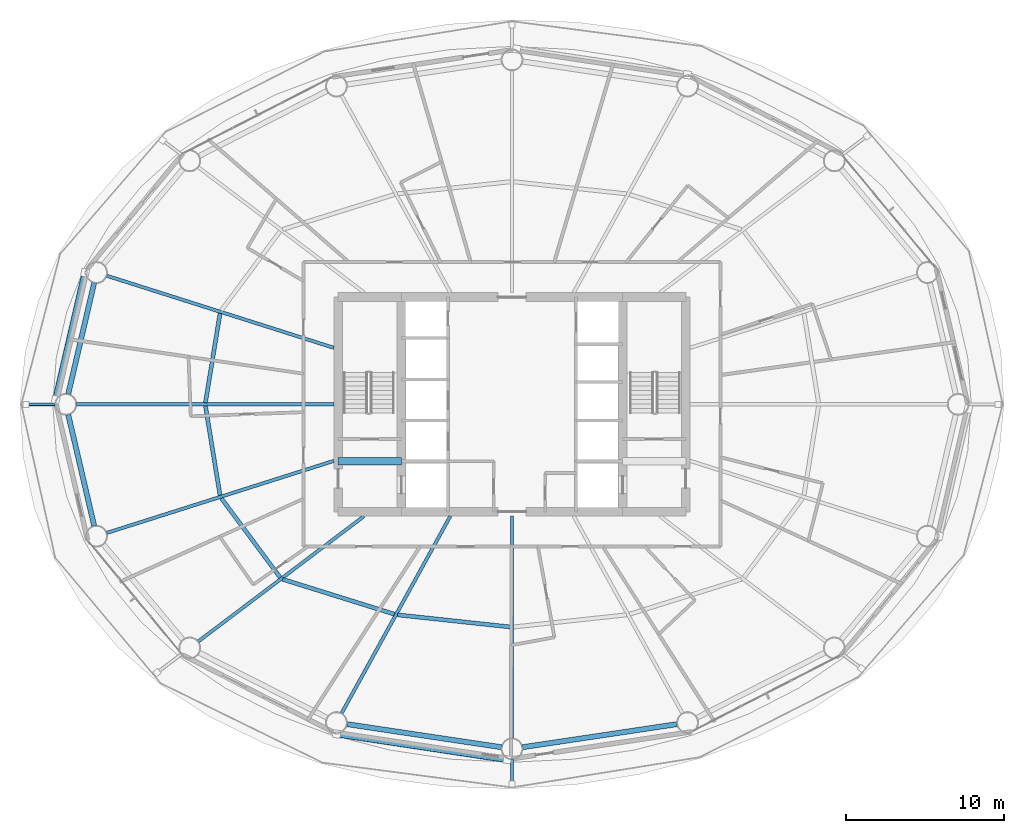
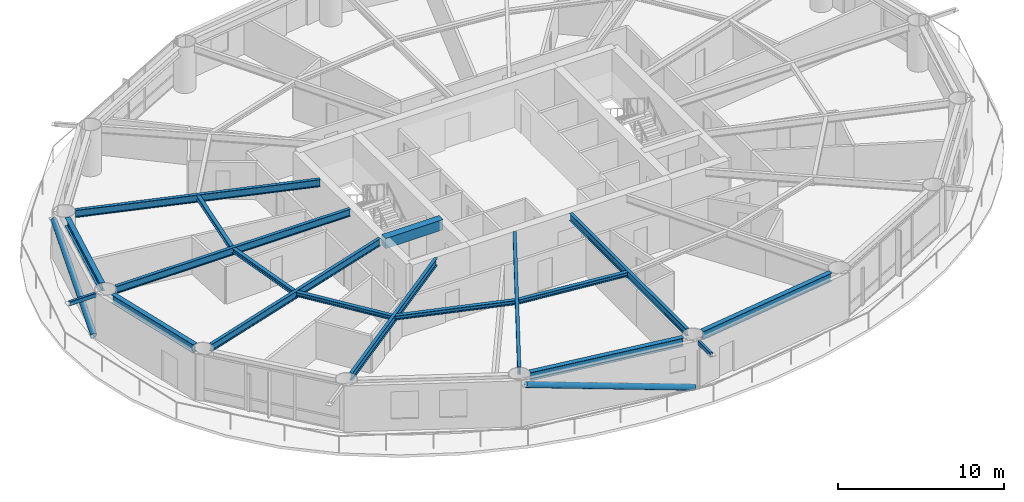
# One storey, part 3 of 24: 16 beams, 4 members.
"""IFC4 building model written with IfcOpenShell, lengths in metres."""

from ifc_helpers import new_model, si_unit, direction, frame, origin, origin_2d, place, context, subcontext, project, spatial, rectangle, hollow_rectangle, hollow_circle, i_section, extrude, material, material_profile, profile_set, type_object, element, save


model = new_model("IFC4")

# Units and contexts
model_context = context("Model", 3, precision=1e-05, world=origin(), true_north=direction((0.0, 1.0)))
body_context = subcontext(model_context, "Body", "Model", "MODEL_VIEW")
ifc_project = project(units=[si_unit("LENGTHUNIT", "METRE"), si_unit("AREAUNIT", "SQUARE_METRE"), si_unit("VOLUMEUNIT", "CUBIC_METRE"), si_unit("PLANEANGLEUNIT", "RADIAN"), si_unit("MASSUNIT", "GRAM", prefix="KILO")], contexts=[model_context])

# Site, building, storey
site_placement = place(None, origin())
site = spatial("IfcSite", under=ifc_project, at=site_placement, CompositionType="ELEMENT")
building_placement = place(site_placement, origin())
building = spatial("IfcBuilding", under=site, at=building_placement, Name="Sarneth Arch Tower", CompositionType="ELEMENT")
storey_placement = place(building_placement, frame((0.0, 0.0, 123.60009765625)))
storey = spatial("IfcBuildingStorey", under=building, at=storey_placement, Name="L31", CompositionType="ELEMENT", Elevation=123.60009765625)

# Beams
ifc_material_1 = material(Name="Steel S355", Category="steel")
ifc_material_profile_1 = material_profile(ifc_material_1, i_section(OverallWidth=0.25390625, OverallDepth=0.305908203125, WebThickness=0.0087890625, FlangeThickness=0.0146484375, FilletRadius=0.014892578125, at=origin_2d()), Name="W310x79")
ifc_profile_set_1 = profile_set([ifc_material_profile_1], Name="Steel S355")
beam_type_1 = type_object("IfcBeamType", Name="BM-JOIST-310A", PredefinedType="JOIST", material=ifc_profile_set_1)
for number, where, z_axis, x_axis, name in (
    (1, (29.521484375, 47.75390625, 3.226806640625), (-0.16120310833, -0.986921252109, 0.0), (0.986921252109, -0.16120310833, 0.0), "L31 Secondary floor joist 08"),
    (2, (28.5986328125, 41.89599609375, 3.226806640625), (0.16120310833, -0.986921252109, 0.0), (0.986921252109, 0.16120310833, 0.0), "L31 Secondary floor joist 09"),
):
    element("IfcBeam", number, at=place(storey_placement, frame(where, z_axis=z_axis, x_axis=x_axis)), inside=storey, type_object=beam_type_1, Name=name, PredefinedType="JOIST", context=body_context, shape_type="SweptSolid", body=[
        extrude(i_section(OverallWidth=0.25390625, OverallDepth=0.305908203125, WebThickness=0.0087890625, FlangeThickness=0.0146484375, FilletRadius=0.014892578125, at=origin_2d()), origin(), (0.0, 0.0, 1.0), 5.724853515625),
    ])
beam_1_placement = place(storey_placement, frame((29.6015625, 36.057373046875, 3.226806640625), z_axis=(0.596354224217, -0.80272139579, 0.0), x_axis=(0.80272139579, 0.596354224217, 0.0)))
element("IfcBeam", 3, at=beam_1_placement, inside=storey, type_object=beam_type_1, Name="L31 Secondary floor joist 10", PredefinedType="JOIST", context=body_context, shape_type="SweptSolid", body=[
    extrude(i_section(OverallWidth=0.25390625, OverallDepth=0.305908203125, WebThickness=0.0087890625, FlangeThickness=0.0146484375, FilletRadius=0.014892578125, at=origin_2d()), origin(), (0.0, 0.0, 1.0), 6.246337890625),
])
beam_2_placement = place(storey_placement, frame((33.490234375, 30.927001953125, 3.226806640625), z_axis=(0.9544870201, -0.298252457594, 0.0), x_axis=(0.298252457594, 0.9544870201, 0.0)))
element("IfcBeam", 4, at=beam_2_placement, inside=storey, type_object=beam_type_1, Name="L31 Secondary floor joist 11", PredefinedType="JOIST", context=body_context, shape_type="SweptSolid", body=[
    extrude(i_section(OverallWidth=0.25390625, OverallDepth=0.305908203125, WebThickness=0.0087890625, FlangeThickness=0.0146484375, FilletRadius=0.014892578125, at=origin_2d()), origin(), (0.0, 0.0, 1.0), 7.40234375),
])
beam_3_placement = place(storey_placement, frame((40.761474609375, 28.676513671875, 3.226806640625), z_axis=(0.99429330851, -0.106680910441, 0.0), x_axis=(0.106680910441, 0.99429330851, 0.0)))
element("IfcBeam", 5, at=beam_3_placement, inside=storey, type_object=beam_type_1, Name="L31 Secondary floor joist 12", PredefinedType="JOIST", context=body_context, shape_type="SweptSolid", body=[
    extrude(i_section(OverallWidth=0.25390625, OverallDepth=0.305908203125, WebThickness=0.0087890625, FlangeThickness=0.0146484375, FilletRadius=0.014892578125, at=origin_2d()), origin(), (0.0, 0.0, 1.0), 7.174560546875),
])
ifc_material_2 = material(Name="Concrete C50/60", Category="concrete")
ifc_material_profile_2 = material_profile(ifc_material_2, rectangle(XDim=0.5, YDim=0.75, at=origin_2d()), Name="RC-500x750")
ifc_profile_set_2 = profile_set([ifc_material_profile_2], Name="Concrete C50/60")
beam_type_2 = type_object("IfcBeamType", Name="BM-LINTEL-RC", PredefinedType="LINTEL", material=ifc_profile_set_2)
beam_4_placement = place(storey_placement, frame((37.0, 38.39990234375, 3.0048828125), z_axis=(1.0, 0.0, 0.0), x_axis=(0.0, 1.0, 0.0)))
element("IfcBeam", 6, at=beam_4_placement, inside=storey, type_object=beam_type_2, Name="L31 Core coupling lintel W", PredefinedType="LINTEL", context=body_context, shape_type="SweptSolid", body=[
    extrude(rectangle(XDim=0.5, YDim=0.75, at=origin_2d()), origin(), (0.0, 0.0, 1.0), 4.0),
])
ifc_material_3 = material(Name="Steel S355", Category="steel")
ifc_material_profile_3 = material_profile(ifc_material_3, i_section(OverallWidth=0.2109375, OverallDepth=0.5390625, WebThickness=0.01171875, FlangeThickness=0.018798828125, FilletRadius=0.01806640625, at=origin_2d()), Name="W530x109")
ifc_profile_set_3 = profile_set([ifc_material_profile_3], Name="Steel S355")
beam_type_3 = type_object("IfcBeamType", Name="BM-RAD-530B", PredefinedType="BEAM", material=ifc_profile_set_3)
beam_5_placement = place(storey_placement, frame((36.72509765625, 45.57763671875, 3.1103515625), z_axis=(-0.95316257761, 0.302458427958, 0.0), x_axis=(-0.302458427958, -0.95316257761, 0.0)))
element("IfcBeam", 7, at=beam_5_placement, inside=storey, type_object=beam_type_3, Name="L31 Radial floor girder 08", PredefinedType="BEAM", context=body_context, shape_type="SweptSolid", body=[
    extrude(i_section(OverallWidth=0.2109375, OverallDepth=0.5390625, WebThickness=0.01171875, FlangeThickness=0.018798828125, FilletRadius=0.01806640625, at=origin_2d()), origin(), (0.0, 0.0, 1.0), 15.0791015625),
])
beam_6_placement = place(storey_placement, frame((36.72509765625, 42.0, 3.1103515625), z_axis=(-1.0, 0.0, 0.0), x_axis=(0.0, -1.0, 0.0)))
element("IfcBeam", 8, at=beam_6_placement, inside=storey, type_object=beam_type_3, Name="L31 Radial floor girder 09", PredefinedType="BEAM", context=body_context, shape_type="SweptSolid", body=[
    extrude(i_section(OverallWidth=0.2109375, OverallDepth=0.5390625, WebThickness=0.01171875, FlangeThickness=0.018798828125, FilletRadius=0.01806640625, at=origin_2d()), origin(), (0.0, 0.0, 1.0), 16.28662109375),
])
beam_7_placement = place(storey_placement, frame((36.72509765625, 38.42236328125, 3.1103515625), z_axis=(-0.95316257761, -0.302458427958, 0.0), x_axis=(0.302458427958, -0.95316257761, 0.0)))
element("IfcBeam", 9, at=beam_7_placement, inside=storey, type_object=beam_type_3, Name="L31 Radial floor girder 10", PredefinedType="BEAM", context=body_context, shape_type="SweptSolid", body=[
    extrude(i_section(OverallWidth=0.2109375, OverallDepth=0.5390625, WebThickness=0.01171875, FlangeThickness=0.018798828125, FilletRadius=0.01806640625, at=origin_2d()), origin(), (0.0, 0.0, 1.0), 15.0791015625),
])
beam_8_placement = place(storey_placement, frame((38.63818359375, 34.925048828125, 3.1103515625), z_axis=(-0.797801476102, -0.602920230818, 0.0), x_axis=(0.602920230818, -0.797801476102, 0.0)))
element("IfcBeam", 10, at=beam_8_placement, inside=storey, type_object=beam_type_3, Name="L31 Radial floor girder 11", PredefinedType="BEAM", context=body_context, shape_type="SweptSolid", body=[
    extrude(i_section(OverallWidth=0.2109375, OverallDepth=0.5390625, WebThickness=0.01171875, FlangeThickness=0.018798828125, FilletRadius=0.01806640625, at=origin_2d()), origin(), (0.0, 0.0, 1.0), 13.15771484375),
])
beam_9_placement = place(storey_placement, frame((44.09716796875, 34.925048828125, 3.1103515625), z_axis=(-0.48301301286, -0.875613173387, 0.0), x_axis=(0.875613173387, -0.48301301286, 0.0)))
element("IfcBeam", 11, at=beam_9_placement, inside=storey, type_object=beam_type_3, Name="L31 Radial floor girder 12", PredefinedType="BEAM", context=body_context, shape_type="SweptSolid", body=[
    extrude(i_section(OverallWidth=0.2109375, OverallDepth=0.5390625, WebThickness=0.01171875, FlangeThickness=0.018798828125, FilletRadius=0.01806640625, at=origin_2d()), origin(), (0.0, 0.0, 1.0), 14.246826171875),
])
beam_10_placement = place(storey_placement, frame((48.0, 34.925048828125, 3.1103515625), z_axis=(0.0, -1.0, 0.0), x_axis=(1.0, 0.0, 0.0)))
element("IfcBeam", 12, at=beam_10_placement, inside=storey, type_object=beam_type_3, Name="L31 Radial floor girder 13", PredefinedType="BEAM", context=body_context, shape_type="SweptSolid", body=[
    extrude(i_section(OverallWidth=0.2109375, OverallDepth=0.5390625, WebThickness=0.01171875, FlangeThickness=0.018798828125, FilletRadius=0.01806640625, at=origin_2d()), origin(), (0.0, 0.0, 1.0), 14.050048828125),
])
ifc_material_4 = material(Name="Steel S355", Category="steel")
ifc_material_profile_4 = material_profile(ifc_material_4, i_section(OverallWidth=0.323974609375, OverallDepth=0.611083984375, WebThickness=0.0126953125, FlangeThickness=0.01904296875, FilletRadius=0.01904296875, at=origin_2d()), Name="W610x155")
ifc_profile_set_4 = profile_set([ifc_material_profile_4], Name="Steel S355")
beam_type_4 = type_object("IfcBeamType", Name="BM-SPAN-610B", PredefinedType="SPANDREL", material=ifc_profile_set_4)
for number, where, z_axis, x_axis, name in (
    (13, (21.555419921875, 49.68505859375, 3.074462890625), (-0.22708522689, -0.973874889156, 0.0), (0.973874889156, -0.22708522689, 0.0), "L31 Perimeter spandrel beam 08"),
    (14, (19.916748046875, 41.342529296875, 3.074462890625), (0.22708522689, -0.973874889156, 0.0), (0.973874889156, 0.22708522689, 0.0), "L31 Perimeter spandrel beam 09"),
):
    element("IfcBeam", number, at=place(storey_placement, frame(where, z_axis=z_axis, x_axis=x_axis)), inside=storey, type_object=beam_type_4, Name=name, PredefinedType="SPANDREL", context=body_context, shape_type="SweptSolid", body=[
        extrude(i_section(OverallWidth=0.323974609375, OverallDepth=0.611083984375, WebThickness=0.0126953125, FlangeThickness=0.01904296875, FilletRadius=0.01904296875, at=origin_2d()), origin(), (0.0, 0.0, 1.0), 7.216064453125),
    ])
for number, where, z_axis, x_axis, name in (
    (15, (37.557373046875, 21.759765625, 3.074462890625), (0.989029828744, -0.147715936359, 0.0), (0.147715936359, 0.989029828744, 0.0), "L31 Perimeter spandrel beam 12"),
    (16, (48.66748046875, 20.2998046875, 3.074462890625), (0.989029828744, 0.147715936359, 0.0), (-0.147715936359, 0.989029828744, 0.0), "L31 Perimeter spandrel beam 13"),
):
    element("IfcBeam", number, at=place(storey_placement, frame(where, z_axis=z_axis, x_axis=x_axis)), inside=storey, type_object=beam_type_4, Name=name, PredefinedType="SPANDREL", context=body_context, shape_type="SweptSolid", body=[
        extrude(i_section(OverallWidth=0.323974609375, OverallDepth=0.611083984375, WebThickness=0.0126953125, FlangeThickness=0.01904296875, FilletRadius=0.01904296875, at=origin_2d()), origin(), (0.0, 0.0, 1.0), 9.883544921875),
    ])

# Members
ifc_material_5 = material(Name="Steel S355", Category="steel")
ifc_material_profile_5 = material_profile(ifc_material_5, hollow_rectangle(XDim=0.199951171875, YDim=0.300048828125, WallThickness=0.012451171875, InnerFilletRadius=0.018798828125, OuterFilletRadius=0.03125, at=origin_2d()), Name="RHS300x200x12.5")
ifc_profile_set_5 = profile_set([ifc_material_profile_5], Name="Steel S355")
member_type_1 = type_object("IfcMemberType", Name="MEM-CANT-STRUT", PredefinedType="STRUT", material=ifc_profile_set_5)
member_1_placement = place(storey_placement, frame((19.08837890625, 42.0, 3.219970703125), z_axis=(-1.0, 0.0, 0.0), x_axis=(0.0, -1.0, 0.0)))
element("IfcMember", 17, at=member_1_placement, inside=storey, type_object=member_type_1, Name="L31 Balcony cantilever bracket 09", PredefinedType="STRUT", context=body_context, shape_type="SweptSolid", body=[
    extrude(hollow_rectangle(XDim=0.199951171875, YDim=0.300048828125, WallThickness=0.012451171875, InnerFilletRadius=0.018798828125, OuterFilletRadius=0.03125, at=origin_2d()), origin(), (0.0, 0.0, 1.0), 1.861572265625),
])
member_2_placement = place(storey_placement, frame((48.0, 19.52490234375, 3.219970703125), z_axis=(0.0, -1.0, 0.0), x_axis=(1.0, 0.0, 0.0)))
element("IfcMember", 18, at=member_2_placement, inside=storey, type_object=member_type_1, Name="L31 Balcony cantilever bracket 13", PredefinedType="STRUT", context=body_context, shape_type="SweptSolid", body=[
    extrude(hollow_rectangle(XDim=0.199951171875, YDim=0.300048828125, WallThickness=0.012451171875, InnerFilletRadius=0.018798828125, OuterFilletRadius=0.03125, at=origin_2d()), origin(), (0.0, 0.0, 1.0), 1.538330078125),
])
ifc_material_6 = material(Name="Steel S355", Category="steel")
ifc_material_profile_6 = material_profile(ifc_material_6, hollow_circle(Radius=0.202880859375, WallThickness=0.01611328125, at=origin_2d()), Name="CHS406x16")
ifc_profile_set_6 = profile_set([ifc_material_profile_6], Name="Steel S355")
member_type_2 = type_object("IfcMemberType", Name="MEM-DIAG-BR2", PredefinedType="BRACE", material=ifc_profile_set_6)
member_3_placement = place(storey_placement, frame((19.121337890625, 42.292236328125, 0.02001953125), z_axis=(0.211847747194, 0.915855506945, 0.341070700013), x_axis=(-0.974275349464, 0.225360918143, 0.0)))
element("IfcMember", 19, at=member_3_placement, inside=storey, type_object=member_type_2, Name="L31 Perimeter frame diagonal 08", PredefinedType="BRACE", context=body_context, shape_type="SweptSolid", body=[
    extrude(hollow_circle(Radius=0.202880859375, WallThickness=0.01611328125, at=origin_2d()), origin(), (0.0, 0.0, 1.0), 8.77587890625),
])
member_4_placement = place(storey_placement, frame((47.703369140625, 19.5146484375, 0.02001953125), z_axis=(-0.95366207304, 0.143606787372, 0.264396938456), x_axis=(-0.148905755657, -0.988851392239, 0.0)))
element("IfcMember", 20, at=member_4_placement, inside=storey, type_object=member_type_2, Name="L31 Perimeter frame diagonal 12", PredefinedType="BRACE", context=body_context, shape_type="SweptSolid", body=[
    extrude(hollow_circle(Radius=0.202880859375, WallThickness=0.01611328125, at=origin_2d()), origin(), (0.0, 0.0, 1.0), 11.32080078125),
])

save(model, "model.ifc")
